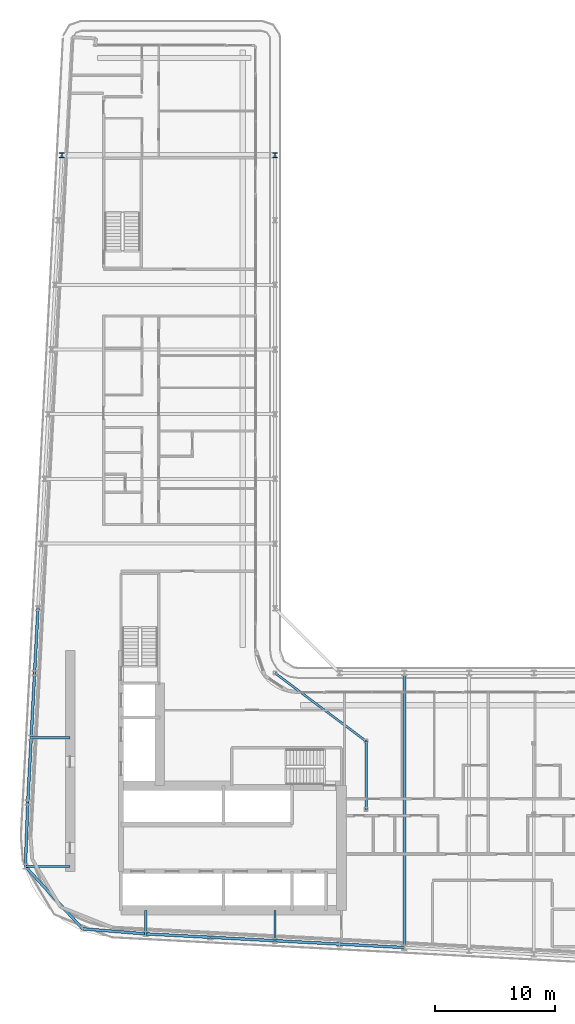
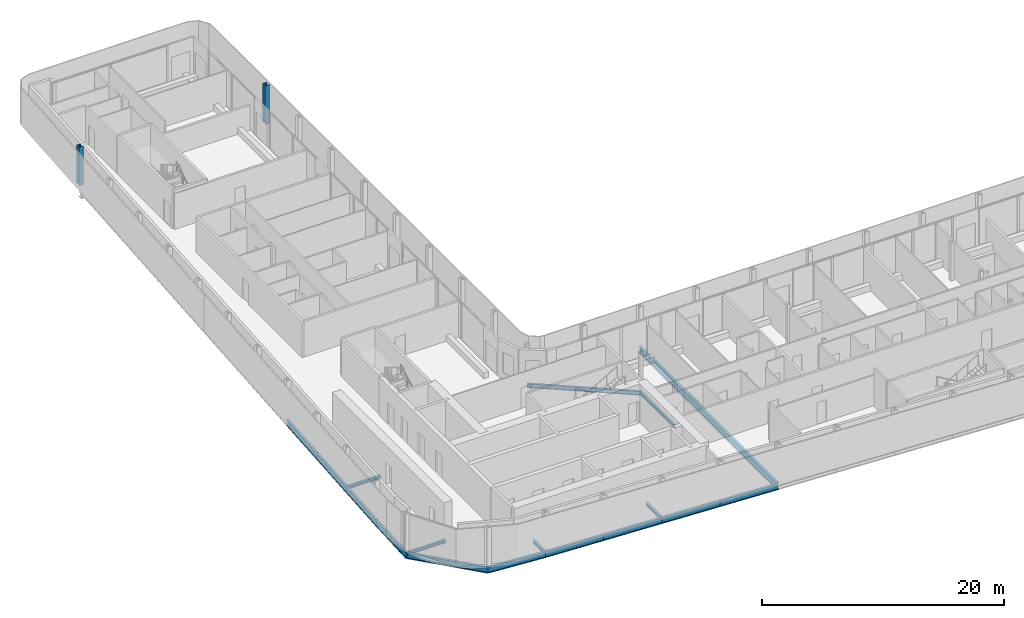
# One storey, part 5 of 28: 17 beams, 2 columns.
"""IFC4 building model written with IfcOpenShell, lengths in metres."""

from ifc_helpers import new_model, si_unit, direction, frame, origin, origin_2d, place, context, subcontext, project, spatial, i_section, extrude, material, material_profile, profile_set, type_object, element, save


model = new_model("IFC4")

# Units and contexts
model_context = context("Model", 3, precision=1e-05, world=origin(), true_north=direction((0.0, 1.0)))
body_context = subcontext(model_context, "Body", "Model", "MODEL_VIEW")
ifc_project = project(units=[si_unit("LENGTHUNIT", "METRE"), si_unit("AREAUNIT", "SQUARE_METRE"), si_unit("VOLUMEUNIT", "CUBIC_METRE"), si_unit("PLANEANGLEUNIT", "RADIAN"), si_unit("MASSUNIT", "GRAM", prefix="KILO")], contexts=[model_context])

# Site, building, storey
site_placement = place(None, origin())
site = spatial("IfcSite", under=ifc_project, at=site_placement, CompositionType="ELEMENT")
building_placement = place(site_placement, origin())
building = spatial("IfcBuilding", under=site, at=building_placement, Name="Kheshtan School and Residences Tower", CompositionType="ELEMENT")
storey_placement = place(building_placement, frame((0.0, 0.0, 187.699951171875)))
storey = spatial("IfcBuildingStorey", under=building, at=storey_placement, Name="L44", CompositionType="ELEMENT", Elevation=187.699951171875)

# Columns
ifc_material = material(Name="Steel ASTM A992 Grade 50", Category="steel")
ifc_material_profile_1 = material_profile(ifc_material, i_section(OverallWidth=0.408935546875, OverallDepth=0.425048828125, WebThickness=0.03271484375, FlangeThickness=0.052490234375, FilletRadius=0.0126953125, at=origin_2d()), Name="W360x421")
ifc_profile_set_1 = profile_set([ifc_material_profile_1], Name="Steel ASTM A992 Grade 50")
column_type = type_object("IfcColumnType", Name="Column C3 W360x421 ASTM A992 Grade 50", PredefinedType="COLUMN", material=ifc_profile_set_1)
for number, where, z_axis, x_axis, name in (
    (1, (29.81103515625, 88.800048828125, 0.0), (0.0, 0.0, 1.0), (1.0, 0.0, 0.0), "Column C098"),
    (2, (47.60009765625, 88.800048828125, 0.0), (0.0, 0.0, 1.0), (1.0, 0.0, 0.0), "Column C099"),
):
    element("IfcColumn", number, at=place(storey_placement, frame(where, z_axis=z_axis, x_axis=x_axis)), inside=storey, type_object=column_type, Name=name, PredefinedType="COLUMN", context=body_context, shape_type="SweptSolid", body=[
        extrude(i_section(OverallWidth=0.408935546875, OverallDepth=0.425048828125, WebThickness=0.03271484375, FlangeThickness=0.052490234375, FilletRadius=0.0126953125, at=origin_2d()), origin(), (0.0, 0.0, 1.0), 3.900146484375),
    ])

# Beams
ifc_material_profile_2 = material_profile(ifc_material, i_section(OverallWidth=0.202880859375, OverallDepth=0.302978515625, WebThickness=0.007568359375, FlangeThickness=0.01318359375, FilletRadius=0.009033203125, at=origin_2d()), Name="W310x60")
ifc_profile_set_2 = profile_set([ifc_material_profile_2], Name="Steel ASTM A992 Grade 50")
beam_type_1 = type_object("IfcBeamType", Name="Beam FB1 W310x60 ASTM A992 Grade 50", PredefinedType="BEAM", material=ifc_profile_set_2)
beam_1_placement = place(storey_placement, frame((47.60009765625, 23.263916015625, -0.301513671875), z_axis=(0.0, 1.0, 0.0), x_axis=(-1.0, 0.0, 0.0)))
element("IfcBeam", 3, at=beam_1_placement, inside=storey, type_object=beam_type_1, Name="Floor beam C020", PredefinedType="BEAM", context=body_context, shape_type="SweptSolid", body=[
    extrude(i_section(OverallWidth=0.202880859375, OverallDepth=0.302978515625, WebThickness=0.007568359375, FlangeThickness=0.01318359375, FilletRadius=0.009033203125, at=origin_2d()), origin(), (0.0, 0.0, 1.0), 2.5361328125),
])
beam_2_placement = place(storey_placement, frame((36.800048828125, 23.83203125, -0.301513671875), z_axis=(0.0, 1.0, 0.0), x_axis=(-1.0, 0.0, 0.0)))
element("IfcBeam", 4, at=beam_2_placement, inside=storey, type_object=beam_type_1, Name="Floor beam C022", PredefinedType="BEAM", context=body_context, shape_type="SweptSolid", body=[
    extrude(i_section(OverallWidth=0.202880859375, OverallDepth=0.302978515625, WebThickness=0.007568359375, FlangeThickness=0.01318359375, FilletRadius=0.009033203125, at=origin_2d()), origin(), (0.0, 0.0, 1.0), 1.968017578125),
])
beam_3_placement = place(storey_placement, frame((26.76904296875, 29.4541015625, -0.301513671875), z_axis=(1.0, 0.0, 0.0), x_axis=(0.0, 1.0, 0.0)))
element("IfcBeam", 5, at=beam_3_placement, inside=storey, type_object=beam_type_1, Name="Floor beam C038", PredefinedType="BEAM", context=body_context, shape_type="SweptSolid", body=[
    extrude(i_section(OverallWidth=0.202880859375, OverallDepth=0.302978515625, WebThickness=0.007568359375, FlangeThickness=0.01318359375, FilletRadius=0.009033203125, at=origin_2d()), origin(), (0.0, 0.0, 1.0), 3.73095703125),
])
beam_4_placement = place(storey_placement, frame((27.2529296875, 40.199951171875, -0.301513671875), z_axis=(1.0, 0.0, 0.0), x_axis=(0.0, 1.0, 0.0)))
element("IfcBeam", 6, at=beam_4_placement, inside=storey, type_object=beam_type_1, Name="Floor beam C056", PredefinedType="BEAM", context=body_context, shape_type="SweptSolid", body=[
    extrude(i_section(OverallWidth=0.202880859375, OverallDepth=0.302978515625, WebThickness=0.007568359375, FlangeThickness=0.01318359375, FilletRadius=0.009033203125, at=origin_2d()), origin(), (0.0, 0.0, 1.0), 3.2470703125),
])
beam_5_placement = place(storey_placement, frame((55.199951171875, 34.23193359375, -0.301513671875), z_axis=(0.0, 1.0, 0.0), x_axis=(-1.0, 0.0, 0.0)))
element("IfcBeam", 7, at=beam_5_placement, inside=storey, type_object=beam_type_1, Name="Floor beam IC", PredefinedType="BEAM", context=body_context, shape_type="SweptSolid", body=[
    extrude(i_section(OverallWidth=0.202880859375, OverallDepth=0.302978515625, WebThickness=0.007568359375, FlangeThickness=0.01318359375, FilletRadius=0.009033203125, at=origin_2d()), origin(), (0.0, 0.0, 1.0), 5.68408203125),
])
ifc_material_profile_3 = material_profile(ifc_material, i_section(OverallWidth=0.180908203125, OverallDepth=0.4169921875, WebThickness=0.010986328125, FlangeThickness=0.018310546875, FilletRadius=0.012451171875, at=origin_2d()), Name="W410x85")
ifc_profile_set_3 = profile_set([ifc_material_profile_3], Name="Steel ASTM A992 Grade 50")
beam_type_2 = type_object("IfcBeamType", Name="Beam FB3 W410x85 ASTM A992 Grade 50", PredefinedType="BEAM", material=ifc_profile_set_3)
beam_6_placement = place(storey_placement, frame((47.60009765625, 45.60009765625, -0.3583984375), z_axis=(0.800798828004, -0.598933416222, 0.0), x_axis=(0.598933416222, 0.800798828004, 0.0)))
element("IfcBeam", 8, at=beam_6_placement, inside=storey, type_object=beam_type_2, Name="Floor beam IC", PredefinedType="BEAM", context=body_context, shape_type="SweptSolid", body=[
    extrude(i_section(OverallWidth=0.180908203125, OverallDepth=0.4169921875, WebThickness=0.010986328125, FlangeThickness=0.018310546875, FilletRadius=0.012451171875, at=origin_2d()), origin(), (0.0, 0.0, 1.0), 9.490234375),
])
ifc_material_profile_4 = material_profile(ifc_material, i_section(OverallWidth=0.2529296875, OverallDepth=0.677978515625, WebThickness=0.01171875, FlangeThickness=0.016357421875, FilletRadius=0.0146484375, at=origin_2d()), Name="W690x125")
ifc_profile_set_4 = profile_set([ifc_material_profile_4], Name="Steel ASTM A992 Grade 50")
beam_type_3 = type_object("IfcBeamType", Name="Beam FB6 W690x125 ASTM A992 Grade 50", PredefinedType="BEAM", material=ifc_profile_set_4)
beam_7_placement = place(storey_placement, frame((58.39990234375, 22.695068359375, -0.489013671875), z_axis=(0.0, 1.0, 0.0), x_axis=(-1.0, 0.0, 0.0)))
element("IfcBeam", 9, at=beam_7_placement, inside=storey, type_object=beam_type_3, Name="Floor beam C018", PredefinedType="BEAM", context=body_context, shape_type="SweptSolid", body=[
    extrude(i_section(OverallWidth=0.2529296875, OverallDepth=0.677978515625, WebThickness=0.01171875, FlangeThickness=0.016357421875, FilletRadius=0.0146484375, at=origin_2d()), origin(), (0.0, 0.0, 1.0), 22.905029296875),
])
ifc_material_profile_5 = material_profile(ifc_material, i_section(OverallWidth=0.22802734375, OverallDepth=0.60302734375, WebThickness=0.010498046875, FlangeThickness=0.014892578125, FilletRadius=0.013427734375, at=origin_2d()), Name="W610x101")
ifc_profile_set_5 = profile_set([ifc_material_profile_5], Name="Steel ASTM A992 Grade 50")
beam_type_4 = type_object("IfcBeamType", Name="Beam SP2 W610x101 ASTM A992 Grade 50", PredefinedType="BEAM", material=ifc_profile_set_5)
for number, where, z_axis, x_axis, name in (
    (10, (58.39990234375, 22.695068359375, -0.451416015625), (-0.998610961136, 0.052689166816, 0.0), (-0.052689166816, -0.998610961136, 0.0), "Spandrel beam C018-C019"),
    (11, (53.0, 22.97998046875, -0.451416015625), (-0.998620447272, 0.05250906864, 0.0), (-0.05250906864, -0.998620447272, 0.0), "Spandrel beam C019-C020"),
):
    element("IfcBeam", number, at=place(storey_placement, frame(where, z_axis=z_axis, x_axis=x_axis)), inside=storey, type_object=beam_type_4, Name=name, PredefinedType="BEAM", context=body_context, shape_type="SweptSolid", body=[
        extrude(i_section(OverallWidth=0.22802734375, OverallDepth=0.60302734375, WebThickness=0.010498046875, FlangeThickness=0.014892578125, FilletRadius=0.013427734375, at=origin_2d()), origin(), (0.0, 0.0, 1.0), 5.407470703125),
    ])
beam_8_placement = place(storey_placement, frame((47.60009765625, 23.263916015625, -0.451416015625), z_axis=(-0.998618203458, 0.052551724256, 0.0), x_axis=(-0.052551724256, -0.998618203458, 0.0)))
element("IfcBeam", 12, at=beam_8_placement, inside=storey, type_object=beam_type_4, Name="Spandrel beam C020-C021", PredefinedType="BEAM", context=body_context, shape_type="SweptSolid", body=[
    extrude(i_section(OverallWidth=0.22802734375, OverallDepth=0.60302734375, WebThickness=0.010498046875, FlangeThickness=0.014892578125, FilletRadius=0.013427734375, at=origin_2d()), origin(), (0.0, 0.0, 1.0), 5.40771484375),
])
beam_9_placement = place(storey_placement, frame((42.199951171875, 23.548095703125, -0.451416015625), z_axis=(-0.998620447272, 0.05250906864, 0.0), x_axis=(-0.05250906864, -0.998620447272, 0.0)))
element("IfcBeam", 13, at=beam_9_placement, inside=storey, type_object=beam_type_4, Name="Spandrel beam C021-C022", PredefinedType="BEAM", context=body_context, shape_type="SweptSolid", body=[
    extrude(i_section(OverallWidth=0.22802734375, OverallDepth=0.60302734375, WebThickness=0.010498046875, FlangeThickness=0.014892578125, FilletRadius=0.013427734375, at=origin_2d()), origin(), (0.0, 0.0, 1.0), 5.407470703125),
])
beam_10_placement = place(storey_placement, frame((36.800048828125, 23.83203125, -0.451416015625), z_axis=(-0.996748565693, 0.08057479003, 0.0), x_axis=(-0.08057479003, -0.996748565693, 0.0)))
element("IfcBeam", 14, at=beam_10_placement, inside=storey, type_object=beam_type_4, Name="Spandrel beam C022-C025", PredefinedType="BEAM", context=body_context, shape_type="SweptSolid", body=[
    extrude(i_section(OverallWidth=0.22802734375, OverallDepth=0.60302734375, WebThickness=0.010498046875, FlangeThickness=0.014892578125, FilletRadius=0.013427734375, at=origin_2d()), origin(), (0.0, 0.0, 1.0), 5.275146484375),
])
beam_11_placement = place(storey_placement, frame((31.5419921875, 24.257080078125, -0.451416015625), z_axis=(-0.676418406149, 0.736517576045, 0.0), x_axis=(-0.736517576045, -0.676418406149, 0.0)))
element("IfcBeam", 15, at=beam_11_placement, inside=storey, type_object=beam_type_4, Name="Spandrel beam C025-C038", PredefinedType="BEAM", context=body_context, shape_type="SweptSolid", body=[
    extrude(i_section(OverallWidth=0.22802734375, OverallDepth=0.60302734375, WebThickness=0.010498046875, FlangeThickness=0.014892578125, FilletRadius=0.013427734375, at=origin_2d()), origin(), (0.0, 0.0, 1.0), 7.05615234375),
])
beam_12_placement = place(storey_placement, frame((26.76904296875, 29.4541015625, -0.451416015625), z_axis=(0.037376249491, 0.999301263871, 0.0), x_axis=(-0.999301263871, 0.037376249491, 0.0)))
element("IfcBeam", 16, at=beam_12_placement, inside=storey, type_object=beam_type_4, Name="Spandrel beam C038-C052", PredefinedType="BEAM", context=body_context, shape_type="SweptSolid", body=[
    extrude(i_section(OverallWidth=0.22802734375, OverallDepth=0.60302734375, WebThickness=0.010498046875, FlangeThickness=0.014892578125, FilletRadius=0.013427734375, at=origin_2d()), origin(), (0.0, 0.0, 1.0), 5.349609375),
])
beam_13_placement = place(storey_placement, frame((26.968994140625, 34.800048828125, -0.451416015625), z_axis=(0.05250906864, 0.998620447272, 0.0), x_axis=(-0.998620447272, 0.05250906864, 0.0)))
element("IfcBeam", 17, at=beam_13_placement, inside=storey, type_object=beam_type_4, Name="Spandrel beam C052-C056", PredefinedType="BEAM", context=body_context, shape_type="SweptSolid", body=[
    extrude(i_section(OverallWidth=0.22802734375, OverallDepth=0.60302734375, WebThickness=0.010498046875, FlangeThickness=0.014892578125, FilletRadius=0.013427734375, at=origin_2d()), origin(), (0.0, 0.0, 1.0), 5.407470703125),
])
beam_14_placement = place(storey_placement, frame((27.2529296875, 40.199951171875, -0.451416015625), z_axis=(0.052551724256, 0.998618203458, 0.0), x_axis=(-0.998618203458, 0.052551724256, 0.0)))
element("IfcBeam", 18, at=beam_14_placement, inside=storey, type_object=beam_type_4, Name="Spandrel beam C056-C059", PredefinedType="BEAM", context=body_context, shape_type="SweptSolid", body=[
    extrude(i_section(OverallWidth=0.22802734375, OverallDepth=0.60302734375, WebThickness=0.010498046875, FlangeThickness=0.014892578125, FilletRadius=0.013427734375, at=origin_2d()), origin(), (0.0, 0.0, 1.0), 5.40771484375),
])
beam_15_placement = place(storey_placement, frame((27.537109375, 45.60009765625, -0.451416015625), z_axis=(0.052689166816, 0.998610961136, 0.0), x_axis=(-0.998610961136, 0.052689166816, 0.0)))
element("IfcBeam", 19, at=beam_15_placement, inside=storey, type_object=beam_type_4, Name="Spandrel beam C059-C078", PredefinedType="BEAM", context=body_context, shape_type="SweptSolid", body=[
    extrude(i_section(OverallWidth=0.22802734375, OverallDepth=0.60302734375, WebThickness=0.010498046875, FlangeThickness=0.014892578125, FilletRadius=0.013427734375, at=origin_2d()), origin(), (0.0, 0.0, 1.0), 5.407470703125),
])

save(model, "model.ifc")
